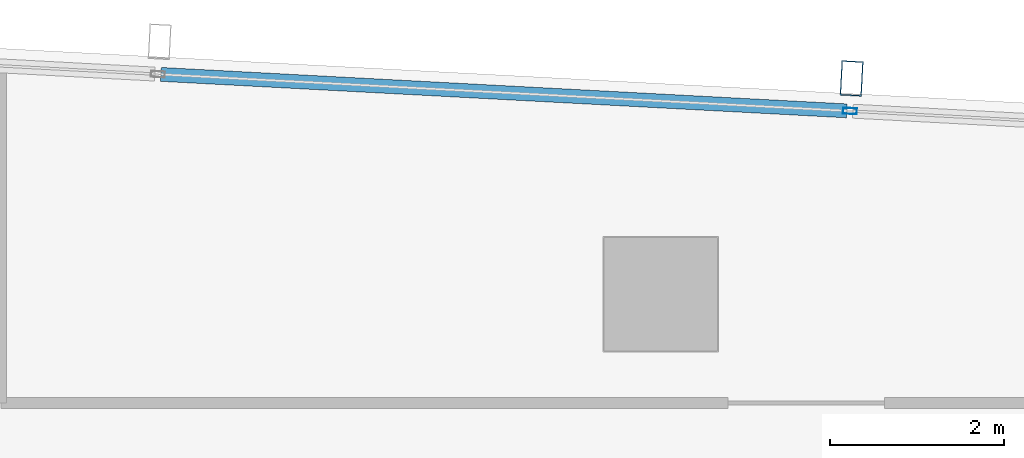
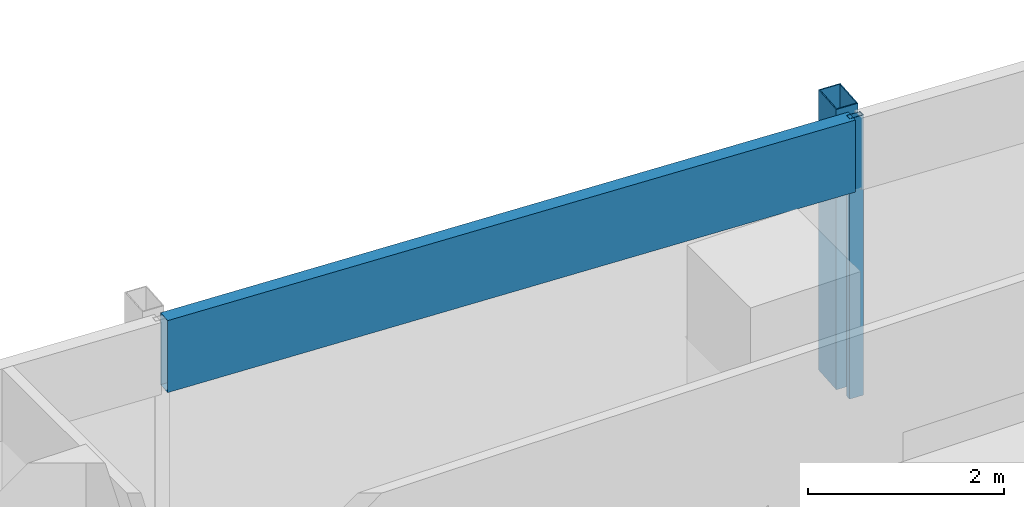
# One storey, part 18 of 29: 3 members, 1 element without a shape of its own.
"""IFC4 building model written with IfcOpenShell, lengths in metres."""

from ifc_helpers import new_model, si_unit, direction, frame, origin, origin_2d, place, context, subcontext, project, spatial, hollow_rectangle, extrude, material, material_profile, profile_set, type_object, element, aggregate, save


model = new_model("IFC4")

# Units and contexts
model_context = context("Model", 3, precision=1e-05, world=origin(), true_north=direction((0.0, 1.0)))
body_context = subcontext(model_context, "Body", "Model", "MODEL_VIEW")
ifc_project = project(units=[si_unit("LENGTHUNIT", "METRE"), si_unit("AREAUNIT", "SQUARE_METRE"), si_unit("VOLUMEUNIT", "CUBIC_METRE"), si_unit("PLANEANGLEUNIT", "RADIAN"), si_unit("MASSUNIT", "GRAM", prefix="KILO")], contexts=[model_context])

# Site, building, storey
site_placement = place(None, origin())
site = spatial("IfcSite", under=ifc_project, at=site_placement, CompositionType="ELEMENT")
building_placement = place(site_placement, origin())
building = spatial("IfcBuilding", under=site, at=building_placement, Name="Rekha Terrace Tower", CompositionType="ELEMENT")
storey_placement = place(building_placement, frame((0.0, 0.0, 280.10009765625)))
storey = spatial("IfcBuildingStorey", under=building, at=storey_placement, Name="L71", CompositionType="ELEMENT", Elevation=280.10009765625)

# Curtain wall, members
ifc_material_1 = material(Name="Aluminium framing", Category="aluminium")
curtain_wall_type = type_object("IfcCurtainWallType", Name="CW3 north unitised glazing", PredefinedType="USERDEFINED", material=ifc_material_1)
curtain_wall_placement = place(storey_placement, origin())
curtain_wall = element("IfcCurtainWall", 1, at=curtain_wall_placement, inside=storey, type_object=curtain_wall_type, Name="CW3 unitised curtain wall", ObjectType="UNITISED CURTAIN WALL", PredefinedType="USERDEFINED")
ifc_material_2 = material(Name="Steel S355 with fluorocarbon finish", Category="steel")
ifc_material_profile_1 = material_profile(ifc_material_2, hollow_rectangle(XDim=0.25, YDim=0.39990234375, WallThickness=0.012451171875, at=origin_2d()), Name="RHS400x250x12.5")
ifc_profile_set_1 = profile_set([ifc_material_profile_1], Name="Steel S355 with fluorocarbon finish")
member_type_1 = type_object("IfcMemberType", Name="BL1 facade blade RHS 400 x 250", PredefinedType="USERDEFINED", material=ifc_profile_set_1)
member_1_placement = place(storey_placement, frame((44.192626953125, 52.87890625, 0.0), z_axis=(0.0, 0.0, 1.0), x_axis=(-0.998590068481, 0.053083661621, 0.0)))
member_1 = element("IfcMember", 2, at=member_1_placement, type_object=member_type_1, Name="Facade blade", ObjectType="FACADE BLADE", PredefinedType="USERDEFINED", context=body_context, shape_type="SweptSolid", body=[
    extrude(hollow_rectangle(XDim=0.25, YDim=0.39990234375, WallThickness=0.012451171875, at=origin_2d()), origin(), (0.0, 0.0, 1.0), 3.5),
])
ifc_material_3 = material(Name="Aluminium mullion section", Category="aluminium")
ifc_material_profile_2 = material_profile(ifc_material_3, hollow_rectangle(XDim=0.070068359375, YDim=0.159912109375, WallThickness=0.00390625, at=origin_2d()), Name="AL RHS 70x160")
ifc_profile_set_2 = profile_set([ifc_material_profile_2], Name="Aluminium mullion section")
member_type_2 = type_object("IfcMemberType", Name="CW3 mullion RHS 70 x 160", PredefinedType="MULLION", material=ifc_profile_set_2)
member_2_placement = place(storey_placement, frame((44.1728515625, 52.50439453125, 0.0), z_axis=(0.0, 0.0, 1.0), x_axis=(-0.053083275524, -0.998590089005, 0.0)))
member_2 = element("IfcMember", 3, at=member_2_placement, type_object=member_type_2, Name="CW3 mullion 3", PredefinedType="MULLION", context=body_context, shape_type="SweptSolid", body=[
    extrude(hollow_rectangle(XDim=0.070068359375, YDim=0.159912109375, WallThickness=0.00390625, at=origin_2d()), origin(), (0.0, 0.0, 1.0), 3.5),
])
ifc_material_4 = material(Name="Insulated aluminium spandrel box", Category="aluminium")
ifc_material_profile_3 = material_profile(ifc_material_4, hollow_rectangle(XDim=0.159912109375, YDim=0.89990234375, WallThickness=0.0029296875, at=origin_2d()), Name="AL SPANDREL BOX 160x900")
ifc_profile_set_3 = profile_set([ifc_material_profile_3], Name="Insulated aluminium spandrel box")
member_type_3 = type_object("IfcMemberType", Name="CW3 spandrel transom 160 x 900", PredefinedType="USERDEFINED", material=ifc_profile_set_3)
member_3_placement = place(storey_placement, frame((44.137939453125, 52.506103515625, 3.0498046875), z_axis=(-0.998589828491, 0.053088176024, 0.0), x_axis=(-0.053088176024, -0.998589828491, 0.0)))
member_3 = element("IfcMember", 4, at=member_3_placement, type_object=member_type_3, Name="CW3 spandrel transom 3", ObjectType="TRANSOM", PredefinedType="USERDEFINED", context=body_context, shape_type="SweptSolid", body=[
    extrude(hollow_rectangle(XDim=0.159912109375, YDim=0.89990234375, WallThickness=0.0029296875, at=origin_2d()), origin(), (0.0, 0.0, 1.0), 7.8916015625),
])
aggregate(curtain_wall, [member_2, member_3, member_1])

save(model, "model.ifc")
